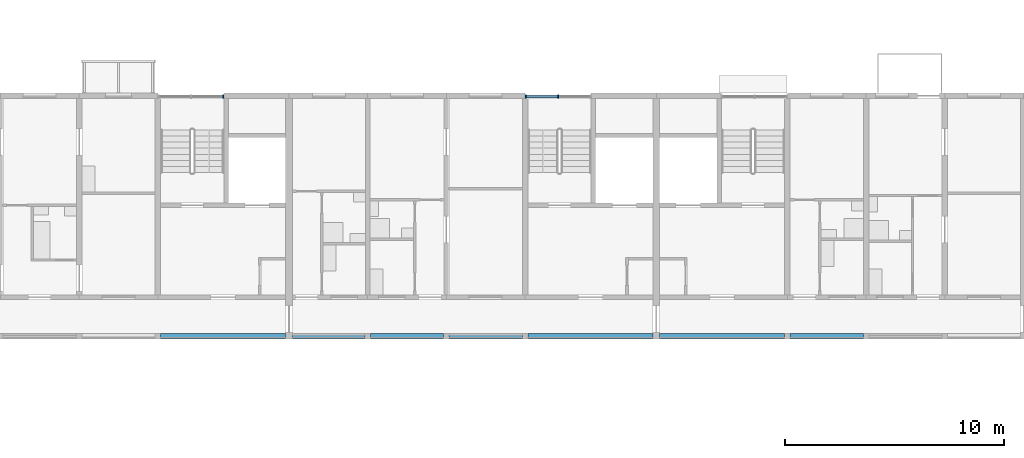
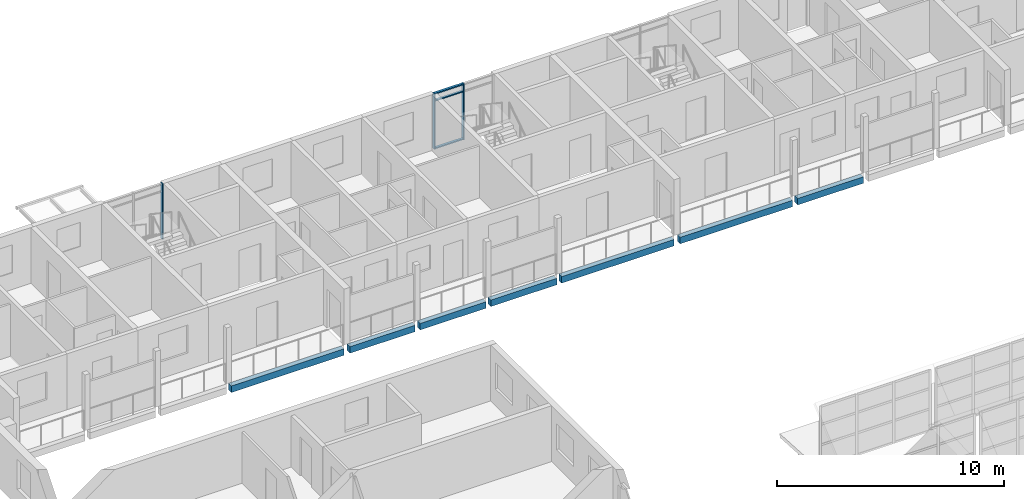
# One storey, part 36 of 122: 7 beams, 6 members, 2 elements without a shape of their own.
"""IFC4 building model written with IfcOpenShell, lengths in metres."""

from ifc_helpers import new_model, si_unit, direction, frame, origin, origin_2d, place, context, subcontext, project, spatial, rectangle, extrude, material, material_profile, profile_set, type_object, element, aggregate, save


model = new_model("IFC4")

# Units and contexts
model_context = context("Model", 3, precision=1e-05, world=origin(), true_north=direction((0.0, 1.0)))
body_context = subcontext(model_context, "Body", "Model", "MODEL_VIEW")
ifc_project = project(units=[si_unit("LENGTHUNIT", "METRE"), si_unit("AREAUNIT", "SQUARE_METRE"), si_unit("VOLUMEUNIT", "CUBIC_METRE"), si_unit("PLANEANGLEUNIT", "RADIAN"), si_unit("MASSUNIT", "GRAM", prefix="KILO")], contexts=[model_context])

# Site, building, storey
site_placement = place(None, origin())
site = spatial("IfcSite", under=ifc_project, at=site_placement, CompositionType="ELEMENT")
building_placement = place(site_placement, origin())
building = spatial("IfcBuilding", under=site, at=building_placement, Name="Ridgestep Commons", CompositionType="ELEMENT")
storey_placement = place(building_placement, frame((0.0, 0.0, 3.0)))
storey = spatial("IfcBuildingStorey", under=building, at=storey_placement, Name="L01", CompositionType="ELEMENT", Elevation=3.0)

# Beams
ifc_material_1 = material(Name="Precast concrete C40/50", Category="concrete")
ifc_material_profile_1 = material_profile(ifc_material_1, rectangle(XDim=0.25, YDim=0.35009765625, at=origin_2d()), Name="PC 250x350")
ifc_profile_set_1 = profile_set([ifc_material_profile_1], Name="Precast concrete C40/50")
beam_type = type_object("IfcBeamType", Name="Loggia edge beam 250 x 350", PredefinedType="SPANDREL", material=ifc_profile_set_1)
beam_1_placement = place(storey_placement, frame((157.72509765625, 66.125, -0.375), z_axis=(1.0, 0.0, 0.0), x_axis=(0.0, 1.0, 0.0)))
element("IfcBeam", 1, at=beam_1_placement, inside=storey, type_object=beam_type, Name="Loggia edge beam C1C L01", PredefinedType="SPANDREL", context=body_context, shape_type="SweptSolid", body=[
    extrude(rectangle(XDim=0.25, YDim=0.35009765625, at=origin_2d()), origin(), (0.0, 0.0, 1.0), 5.724853515625),
])
beam_2_placement = place(storey_placement, frame((163.75, 66.125, -0.375), z_axis=(1.0, 0.0, 0.0), x_axis=(0.0, 1.0, 0.0)))
element("IfcBeam", 2, at=beam_2_placement, inside=storey, type_object=beam_type, Name="Loggia edge beam C2T1 L01", PredefinedType="SPANDREL", context=body_context, shape_type="SweptSolid", body=[
    extrude(rectangle(XDim=0.25, YDim=0.35009765625, at=origin_2d()), origin(), (0.0, 0.0, 1.0), 3.324951171875),
])
beam_3_placement = place(storey_placement, frame((167.324951171875, 66.125, -0.375), z_axis=(1.0, 0.0, 0.0), x_axis=(0.0, 1.0, 0.0)))
element("IfcBeam", 3, at=beam_3_placement, inside=storey, type_object=beam_type, Name="Loggia edge beam C2T2 L01", PredefinedType="SPANDREL", context=body_context, shape_type="SweptSolid", body=[
    extrude(rectangle(XDim=0.25, YDim=0.35009765625, at=origin_2d()), origin(), (0.0, 0.0, 1.0), 3.35009765625),
])
beam_4_placement = place(storey_placement, frame((170.925048828125, 66.125, -0.375), z_axis=(1.0, 0.0, 0.0), x_axis=(0.0, 1.0, 0.0)))
element("IfcBeam", 4, at=beam_4_placement, inside=storey, type_object=beam_type, Name="Loggia edge beam C2T3 L01", PredefinedType="SPANDREL", context=body_context, shape_type="SweptSolid", body=[
    extrude(rectangle(XDim=0.25, YDim=0.35009765625, at=origin_2d()), origin(), (0.0, 0.0, 1.0), 3.349853515625),
])
beam_5_placement = place(storey_placement, frame((174.52490234375, 66.125, -0.375), z_axis=(1.0, 0.0, 0.0), x_axis=(0.0, 1.0, 0.0)))
element("IfcBeam", 5, at=beam_5_placement, inside=storey, type_object=beam_type, Name="Loggia edge beam C2C L01", PredefinedType="SPANDREL", context=body_context, shape_type="SweptSolid", body=[
    extrude(rectangle(XDim=0.25, YDim=0.35009765625, at=origin_2d()), origin(), (0.0, 0.0, 1.0), 5.72509765625),
])
beam_6_placement = place(storey_placement, frame((180.550048828125, 66.125, -0.375), z_axis=(1.0, 0.0, 0.0), x_axis=(0.0, 1.0, 0.0)))
element("IfcBeam", 6, at=beam_6_placement, inside=storey, type_object=beam_type, Name="Loggia edge beam C3C L01", PredefinedType="SPANDREL", context=body_context, shape_type="SweptSolid", body=[
    extrude(rectangle(XDim=0.25, YDim=0.35009765625, at=origin_2d()), origin(), (0.0, 0.0, 1.0), 5.724853515625),
])
beam_7_placement = place(storey_placement, frame((186.52490234375, 66.125, -0.375), z_axis=(1.0, 0.0, 0.0), x_axis=(0.0, 1.0, 0.0)))
element("IfcBeam", 7, at=beam_7_placement, inside=storey, type_object=beam_type, Name="Loggia edge beam C3T3 L01", PredefinedType="SPANDREL", context=body_context, shape_type="SweptSolid", body=[
    extrude(rectangle(XDim=0.25, YDim=0.35009765625, at=origin_2d()), origin(), (0.0, 0.0, 1.0), 3.35009765625),
])

# Curtain wall, member
ifc_material_2 = material(Name="Aluminium 6063-T6 and glass", Category="aluminium")
curtain_wall_type = type_object("IfcCurtainWallType", Name="Curtain wall stair strip", PredefinedType="NOTDEFINED", material=ifc_material_2)
curtain_wall_1_placement = place(storey_placement, origin())
curtain_wall_1 = element("IfcCurtainWall", 8, at=curtain_wall_1_placement, inside=storey, type_object=curtain_wall_type, Name="Curtain wall C1C level 01", PredefinedType="NOTDEFINED")
ifc_material_3 = material(Name="Aluminium 6063-T6", Category="aluminium")
ifc_material_profile_2 = material_profile(ifc_material_3, rectangle(XDim=0.159912109375, YDim=0.06005859375, at=origin_2d()), Name="Mullion 60 x 160")
ifc_profile_set_2 = profile_set([ifc_material_profile_2], Name="Aluminium 6063-T6")
member_type_1 = type_object("IfcMemberType", Name="Mullion 60 x 160", PredefinedType="MULLION", material=ifc_profile_set_2)
member_1_placement = place(storey_placement, frame((160.594970703125, 77.080078125, 0.0), z_axis=(0.0, 0.0, 1.0), x_axis=(0.0, 1.0, 0.0)))
member_1 = element("IfcMember", 9, at=member_1_placement, type_object=member_type_1, Name="CW1 mullion 3", PredefinedType="MULLION", context=body_context, shape_type="SweptSolid", body=[
    extrude(rectangle(XDim=0.159912109375, YDim=0.06005859375, at=origin_2d()), origin(), (0.0, 0.0, 1.0), 3.0),
])
aggregate(curtain_wall_1, [member_1])

# Curtain wall, members
curtain_wall_2_placement = place(storey_placement, origin())
curtain_wall_2 = element("IfcCurtainWall", 10, at=curtain_wall_2_placement, inside=storey, type_object=curtain_wall_type, Name="Curtain wall C2C level 01", PredefinedType="NOTDEFINED")
member_2_placement = place(storey_placement, frame((174.429931640625, 77.080078125, 0.0), z_axis=(0.0, 0.0, 1.0), x_axis=(0.0, 1.0, 0.0)))
member_2 = element("IfcMember", 11, at=member_2_placement, type_object=member_type_1, Name="CW1 mullion 1", PredefinedType="MULLION", context=body_context, shape_type="SweptSolid", body=[
    extrude(rectangle(XDim=0.159912109375, YDim=0.06005859375, at=origin_2d()), origin(), (0.0, 0.0, 1.0), 3.0),
])
member_3_placement = place(storey_placement, frame((175.91259765625, 77.080078125, 0.0), z_axis=(0.0, 0.0, 1.0), x_axis=(0.0, 1.0, 0.0)))
member_3 = element("IfcMember", 12, at=member_3_placement, type_object=member_type_1, Name="CW1 mullion 2", PredefinedType="MULLION", context=body_context, shape_type="SweptSolid", body=[
    extrude(rectangle(XDim=0.159912109375, YDim=0.06005859375, at=origin_2d()), origin(), (0.0, 0.0, 1.0), 3.0),
])
ifc_material_4 = material(Name="Aluminium 6063-T6", Category="aluminium")
ifc_material_profile_3 = material_profile(ifc_material_4, rectangle(XDim=0.1201171875, YDim=0.06005859375, at=origin_2d()), Name="Transom 60 x 120")
ifc_profile_set_3 = profile_set([ifc_material_profile_3], Name="Aluminium 6063-T6")
member_type_2 = type_object("IfcMemberType", Name="Transom 60 x 120", PredefinedType="USERDEFINED", material=ifc_profile_set_3)
member_4_placement = place(storey_placement, frame((174.4599609375, 77.080078125, 0.030029296875), z_axis=(1.0, 0.0, 0.0), x_axis=(0.0, 1.0, 0.0)))
member_4 = element("IfcMember", 13, at=member_4_placement, type_object=member_type_2, Name="CW1 transom 1.1", ObjectType="TRANSOM", PredefinedType="USERDEFINED", context=body_context, shape_type="SweptSolid", body=[
    extrude(rectangle(XDim=0.1201171875, YDim=0.06005859375, at=origin_2d()), origin(), (0.0, 0.0, 1.0), 1.422607421875),
])
member_5_placement = place(storey_placement, frame((174.4599609375, 77.080078125, 2.590087890625), z_axis=(1.0, 0.0, 0.0), x_axis=(0.0, 1.0, 0.0)))
member_5 = element("IfcMember", 14, at=member_5_placement, type_object=member_type_2, Name="CW1 transom 1.2", ObjectType="TRANSOM", PredefinedType="USERDEFINED", context=body_context, shape_type="SweptSolid", body=[
    extrude(rectangle(XDim=0.1201171875, YDim=0.06005859375, at=origin_2d()), origin(), (0.0, 0.0, 1.0), 1.422607421875),
])
member_6_placement = place(storey_placement, frame((174.4599609375, 77.080078125, 2.969970703125), z_axis=(1.0, 0.0, 0.0), x_axis=(0.0, 1.0, 0.0)))
member_6 = element("IfcMember", 15, at=member_6_placement, type_object=member_type_2, Name="CW1 transom 1.3", ObjectType="TRANSOM", PredefinedType="USERDEFINED", context=body_context, shape_type="SweptSolid", body=[
    extrude(rectangle(XDim=0.1201171875, YDim=0.06005859375, at=origin_2d()), origin(), (0.0, 0.0, 1.0), 1.422607421875),
])
aggregate(curtain_wall_2, [member_2, member_3, member_4, member_5, member_6])

save(model, "model.ifc")
